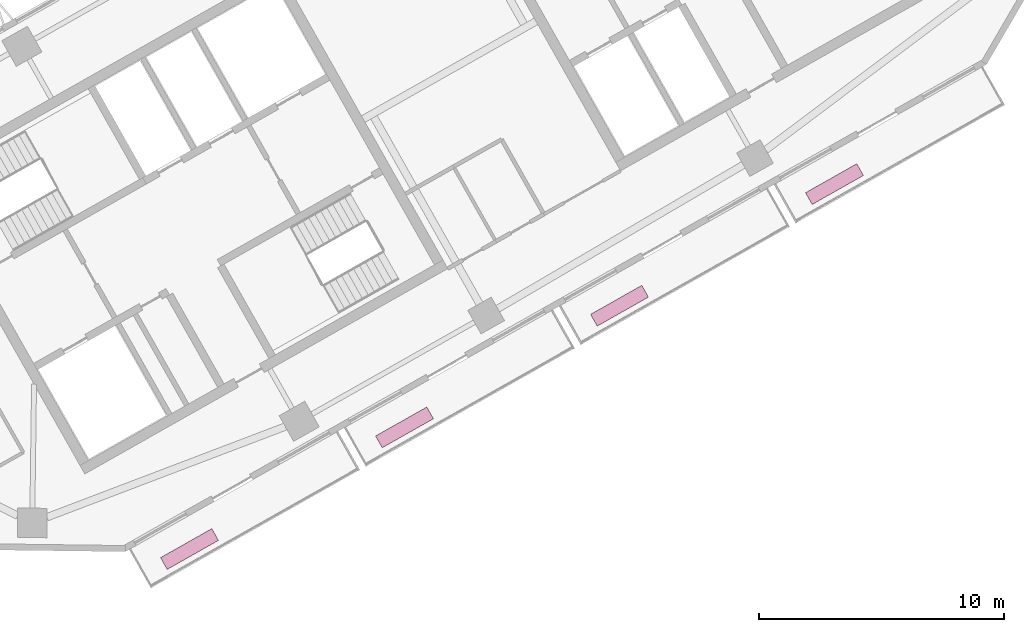
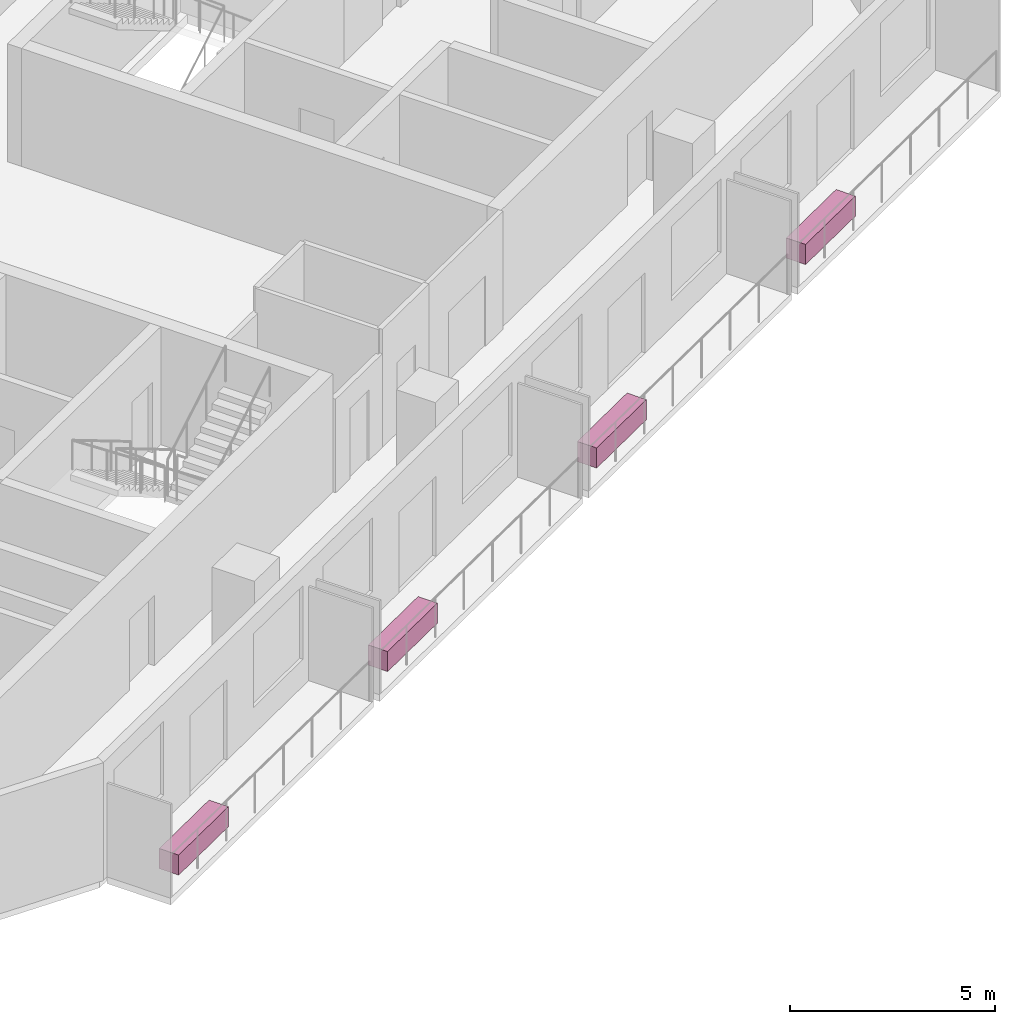
# One storey, part 8 of 8: 4 furnishings.
"""IFC4 building model written with IfcOpenShell, lengths in metres."""

from ifc_helpers import new_model, si_unit, direction, frame, origin, origin_2d, place, context, subcontext, project, spatial, rectangle, extrude, material, type_object, element, save


model = new_model("IFC4")

# Units and contexts
model_context = context("Model", 3, precision=1e-05, world=origin(), true_north=direction((0.0, 1.0)))
body_context = subcontext(model_context, "Body", "Model", "MODEL_VIEW")
ifc_project = project(units=[si_unit("LENGTHUNIT", "METRE"), si_unit("AREAUNIT", "SQUARE_METRE"), si_unit("VOLUMEUNIT", "CUBIC_METRE"), si_unit("PLANEANGLEUNIT", "RADIAN"), si_unit("MASSUNIT", "GRAM", prefix="KILO")], contexts=[model_context])

# Site, building, storey
site_placement = place(None, origin())
site = spatial("IfcSite", under=ifc_project, at=site_placement, CompositionType="ELEMENT")
building_placement = place(site_placement, origin())
building = spatial("IfcBuilding", under=site, at=building_placement, Name="Binnacle Exchange Tower", CompositionType="ELEMENT")
storey_placement = place(building_placement, frame((0.0, 0.0, 300.699951171875)))
storey = spatial("IfcBuildingStorey", under=building, at=storey_placement, Name="L67", CompositionType="ELEMENT", Elevation=300.699951171875)

# Furnishings
ifc_material = material(Name="Concrete C35/45", Category="concrete")
furnishing_element_type = type_object("IfcFurnishingElementType", Name="PLANTER 2400x550x600", material=ifc_material)
for number, where, z_axis, x_axis, name in (
    (1, (-35.44677734375, 26.428466796875, 0.0), (0.0, 0.0, 1.0), (0.87035569594, 0.492423560103, 0.0), "Planter H07-B00a L67"),
    (2, (-26.683837890625, 31.38623046875, 0.0), (0.0, 0.0, 1.0), (0.87035569594, 0.492423560103, 0.0), "Planter H07-B01a L67"),
    (3, (-17.9208984375, 36.34423828125, 0.0), (0.0, 0.0, 1.0), (0.87035569594, 0.492423560103, 0.0), "Planter H07-B02a L67"),
    (4, (-9.158203125, 41.302001953125, 0.0), (0.0, 0.0, 1.0), (0.87035569594, 0.492423560103, 0.0), "Planter H07-B03a L67"),
):
    element("IfcFurnishingElement", number, at=place(storey_placement, frame(where, z_axis=z_axis, x_axis=x_axis)), inside=storey, type_object=furnishing_element_type, Name=name, ObjectType="PLANTER", context=body_context, shape_type="SweptSolid", body=[
        extrude(rectangle(XDim=2.39990234375, YDim=0.550048828125, at=origin_2d()), origin(), (0.0, 0.0, 1.0), 0.60009765625),
    ])

save(model, "model.ifc")
